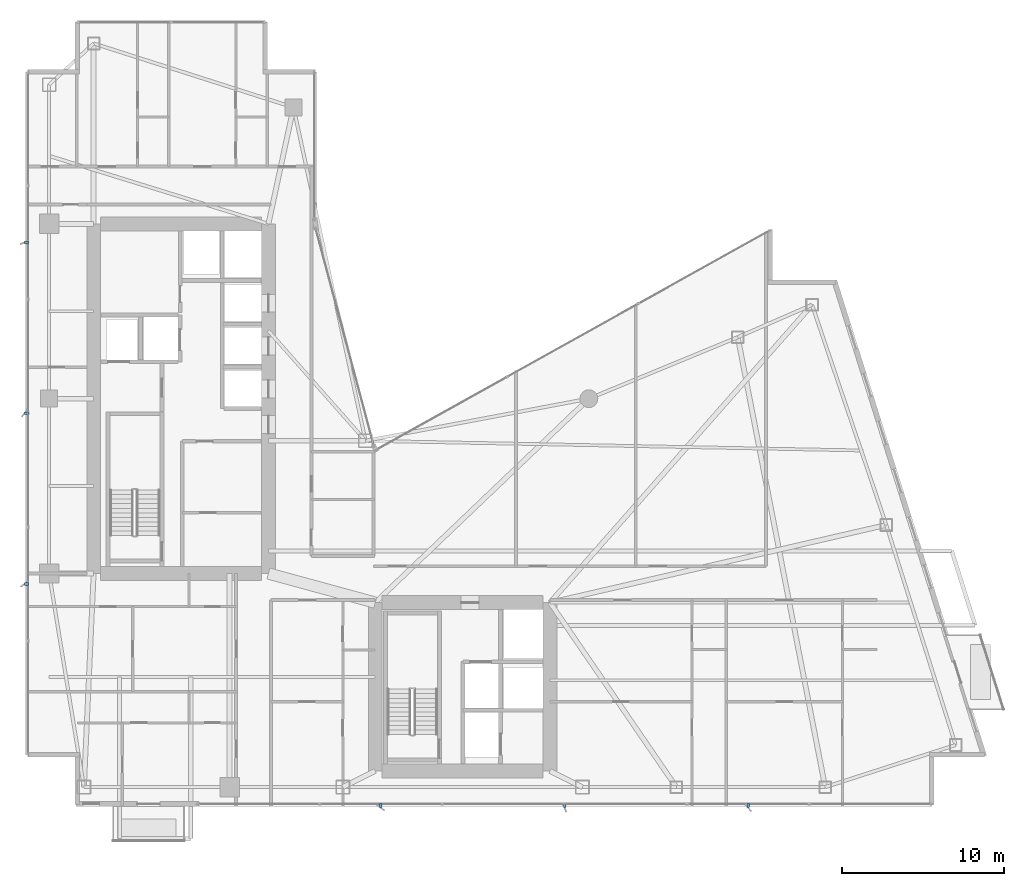
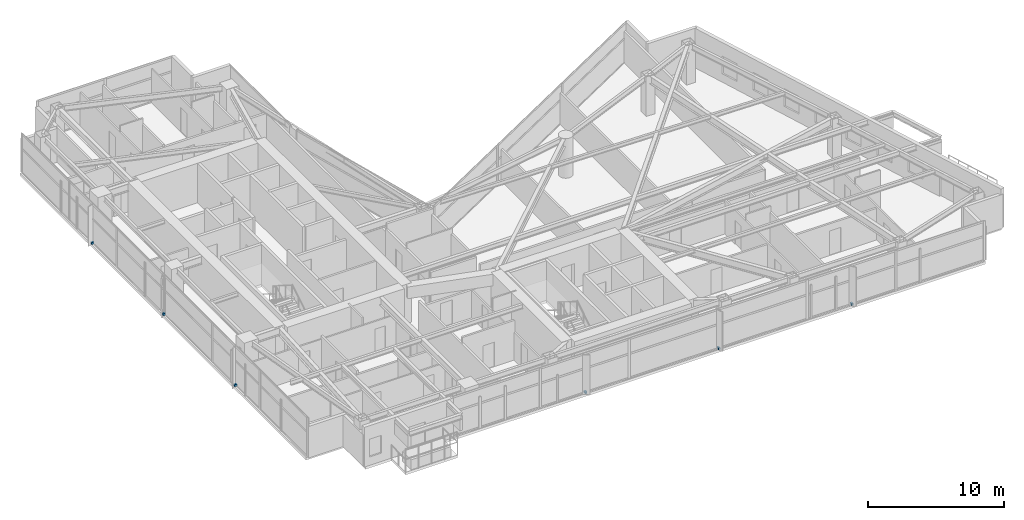
# One storey, part 26 of 28: 6 discrete accessories.
"""IFC4 building model written with IfcOpenShell, lengths in metres."""

from ifc_helpers import new_model, si_unit, direction, frame, origin, origin_2d, place, context, subcontext, project, spatial, rectangle, extrude, material, type_object, element, save


model = new_model("IFC4")

# Units and contexts
model_context = context("Model", 3, precision=1e-05, world=origin(), true_north=direction((0.0, 1.0)))
body_context = subcontext(model_context, "Body", "Model", "MODEL_VIEW")
ifc_project = project(units=[si_unit("LENGTHUNIT", "METRE"), si_unit("AREAUNIT", "SQUARE_METRE"), si_unit("VOLUMEUNIT", "CUBIC_METRE"), si_unit("PLANEANGLEUNIT", "RADIAN"), si_unit("MASSUNIT", "GRAM", prefix="KILO")], contexts=[model_context])

# Site, building, storey
site_placement = place(None, origin())
site = spatial("IfcSite", under=ifc_project, at=site_placement, CompositionType="ELEMENT")
building_placement = place(site_placement, origin())
building = spatial("IfcBuilding", under=site, at=building_placement, Name="Calvorn Quay Hotel", CompositionType="ELEMENT")
storey_placement = place(building_placement, frame((0.0, 0.0, 101.199951171875)))
storey = spatial("IfcBuildingStorey", under=building, at=storey_placement, Name="L24", CompositionType="ELEMENT", Elevation=101.199951171875)

# Discrete accessories
ifc_material = material(Name="Steel Q355B", Category="steel")
discrete_accessory_type = type_object("IfcDiscreteAccessoryType", Name="ACC-FIN-BRACKET", PredefinedType="BRACKET", material=ifc_material)
for number, where, z_axis, x_axis, name in (
    (1, (0.06005859375, 16.14990234375, 0.0302734375), (0.0, 0.0, 1.0), (1.0, 0.0, 0.0), "Fin Anchor Bracket L24-W01"),
    (2, (0.06005859375, 26.699951171875, 0.0302734375), (0.0, 0.0, 1.0), (1.0, 0.0, 0.0), "Fin Anchor Bracket L24-W02"),
    (3, (0.06005859375, 37.25, 0.0302734375), (0.0, 0.0, 1.0), (1.0, 0.0, 0.0), "Fin Anchor Bracket L24-W03"),
    (4, (21.949951171875, 2.4599609375, 0.0302734375), (0.0, 0.0, 1.0), (0.0, 1.0, 0.0), "Fin Anchor Bracket L24-S01"),
    (5, (33.300048828125, 2.4599609375, 0.0302734375), (0.0, 0.0, 1.0), (0.0, 1.0, 0.0), "Fin Anchor Bracket L24-S02"),
    (6, (44.64990234375, 2.4599609375, 0.0302734375), (0.0, 0.0, 1.0), (0.0, 1.0, 0.0), "Fin Anchor Bracket L24-S03"),
):
    element("IfcDiscreteAccessory", number, at=place(storey_placement, frame(where, z_axis=z_axis, x_axis=x_axis)), inside=storey, type_object=discrete_accessory_type, Name=name, PredefinedType="BRACKET", context=body_context, shape_type="SweptSolid", body=[
        extrude(rectangle(XDim=0.239990234375, YDim=0.159912109375, at=origin_2d()), origin(), (0.0, 0.0, 1.0), 0.179931640625),
    ])

save(model, "model.ifc")
